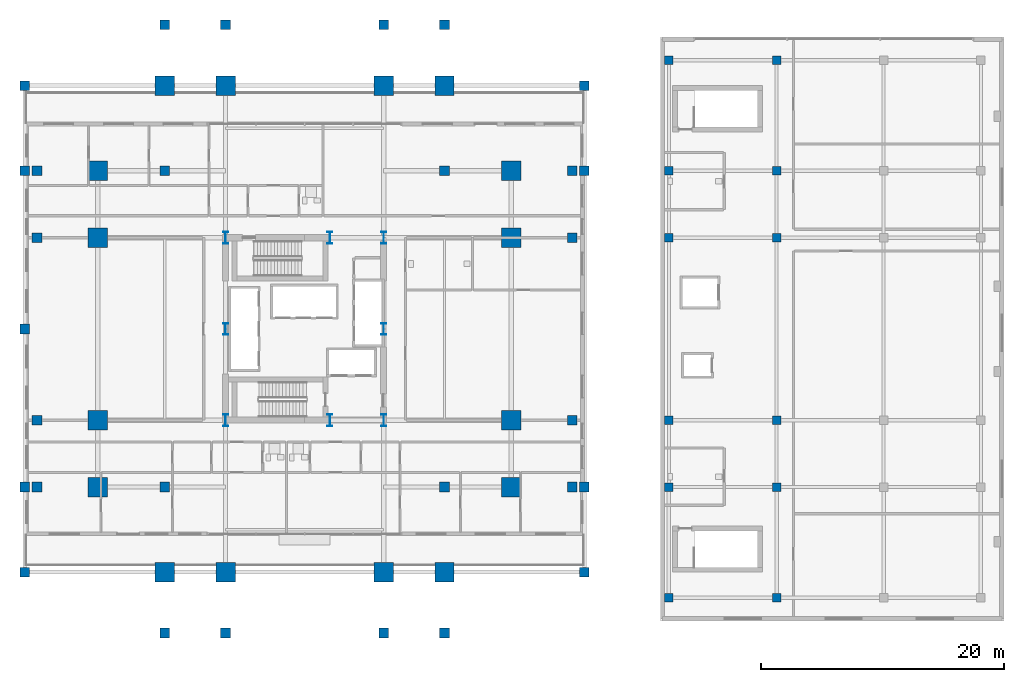
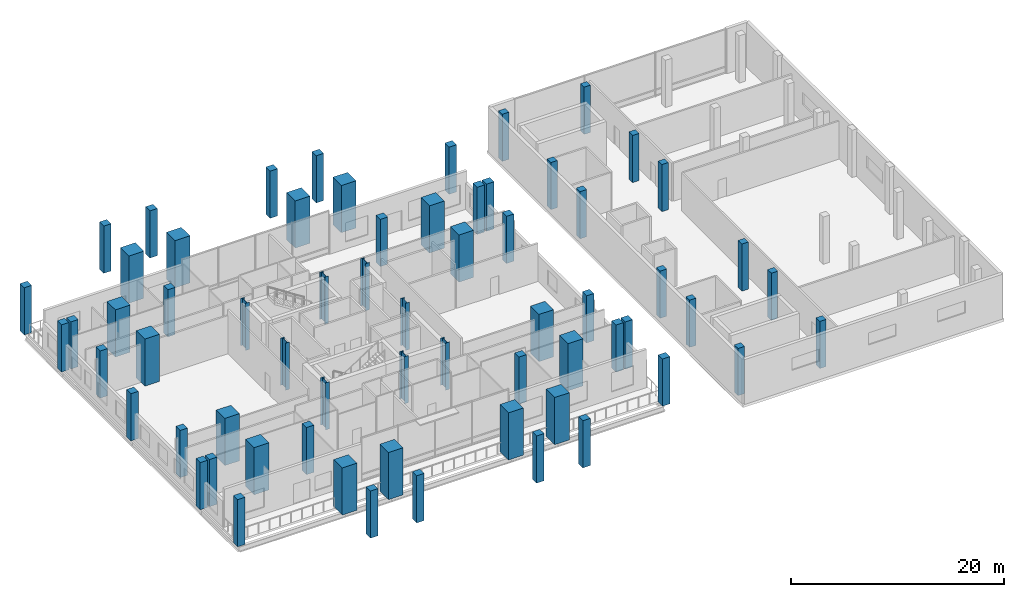
# One storey, part 1 of 25: 65 columns.
"""IFC4 building model written with IfcOpenShell, lengths in metres."""

import ifcopenshell
import ifcopenshell.guid

model = None  # the IFC model being written
_history = None  # IfcOwnerHistory: only IFC2X3 demands one
_inside = {}  # id of a spatial element -> (the spatial element, [elements in it])
_under = {}  # id of a project, library or spatial element -> (it, [spatial elements below it])
_declared = {}  # id of a project -> (the project, [libraries it declares])
_typed = {}  # id of a type object -> (the type object, [elements of that type])
_made_of = {}  # id of a material, layer set ... -> (it, [elements and type objects made of it])


def new_model(schema):
    """Start an empty IFC model of exactly this schema.

    Asked for "IFC4X3", IfcOpenShell would pick the latest addendum, in which some entities
    have other attributes; the version numbers below select the first issue.
    IFC2X3 requires an IfcOwnerHistory on every rooted entity: one is made here for all.
    """
    global model, _history
    if schema == "IFC4X3":
        model = ifcopenshell.file(schema_version=(4, 3, 0, 0))
    else:
        model = ifcopenshell.file(schema=schema)
    _inside.clear()
    _under.clear()
    _declared.clear()
    _typed.clear()
    _made_of.clear()
    _history = None
    if model.schema == "IFC2X3":
        org = make("IfcOrganization", Name="unknown")
        user = make(
            "IfcPersonAndOrganization",
            ThePerson=make("IfcPerson", FamilyName="unknown"),
            TheOrganization=org,
        )
        app = make(
            "IfcApplication",
            ApplicationDeveloper=org,
            Version="unknown",
            ApplicationFullName="unknown",
            ApplicationIdentifier="unknown",
        )
        _history = make(
            "IfcOwnerHistory",
            OwningUser=user,
            OwningApplication=app,
            ChangeAction="ADDED",
            CreationDate=0,
        )
    return model


def make(cls, **values):
    """One entity of the class cls with the attributes given. An attribute that is None is left unset."""
    return model.create_entity(
        cls, **{name: value for name, value in values.items() if value is not None}
    )


def rooted(cls, **values):
    """An entity with a GlobalId (a new one), such as an element, a storey or a relation."""
    return make(cls, GlobalId=ifcopenshell.guid.new(), OwnerHistory=_history, **values)


def si_unit(unit_type, name, prefix=None):
    """IfcSIUnit, for example si_unit("LENGTHUNIT", "METRE", prefix="MILLI")."""
    return make("IfcSIUnit", UnitType=unit_type, Prefix=prefix, Name=name)


def assignment(units):
    """IfcUnitAssignment: the units of a project."""
    return None if units is None else make("IfcUnitAssignment", Units=units)


def point(xyz):
    """IfcCartesianPoint."""
    return None if xyz is None else make("IfcCartesianPoint", Coordinates=xyz)


def direction(xyz):
    """IfcDirection."""
    return None if xyz is None else make("IfcDirection", DirectionRatios=xyz)


def frame(location, z_axis=None, x_axis=None):
    """IfcAxis2Placement3D, a coordinate frame: its origin and axes. An axis left out is left unset."""
    return make(
        "IfcAxis2Placement3D",
        Location=point(location),
        Axis=direction(z_axis),
        RefDirection=direction(x_axis),
    )


def frame_2d(location, x_axis=None):
    """IfcAxis2Placement2D, a coordinate frame in the plane: its origin and x axis."""
    return make(
        "IfcAxis2Placement2D", Location=point(location), RefDirection=direction(x_axis)
    )


def origin():
    """The frame at (0, 0, 0) with its axes left unset."""
    return frame((0.0, 0.0, 0.0))


def origin_2d():
    """The frame at (0, 0) in the plane with its x axis left unset."""
    return frame_2d((0.0, 0.0))


def place(relative_to, where):
    """IfcLocalPlacement: puts the frame where relative to a parent placement (None: the world)."""
    return make(
        "IfcLocalPlacement", PlacementRelTo=relative_to, RelativePlacement=where
    )


def context(
    kind, dimensions, precision=None, world=None, true_north=None, identifier=None
):
    """IfcGeometricRepresentationContext, for example the 3D "Model" context."""
    return make(
        "IfcGeometricRepresentationContext",
        ContextIdentifier=identifier,
        ContextType=kind,
        CoordinateSpaceDimension=dimensions,
        Precision=precision,
        WorldCoordinateSystem=world,
        TrueNorth=true_north,
    )


def subcontext(parent, identifier, kind, view, scale=None):
    """IfcGeometricRepresentationSubContext, for example "Body" below "Model"."""
    return make(
        "IfcGeometricRepresentationSubContext",
        ContextIdentifier=identifier,
        ContextType=kind,
        ParentContext=parent,
        TargetScale=scale,
        TargetView=view,
    )


def project(units=None, contexts=None):
    """IfcProject with its units and contexts."""
    return rooted(
        "IfcProject",
        Name="project",
        RepresentationContexts=contexts,
        UnitsInContext=assignment(units),
    )


def spatial(cls, under=None, at=None, **own):
    """A site, building, storey or space (cls), placed at a placement, below another one or the project."""
    s = rooted(cls, ObjectPlacement=at, **own)
    if under is not None:
        _under.setdefault(under.id(), (under, []))[1].append(s)
    return s


def profile(cls, at=None, kind="AREA", **sizes):
    """A parametric profile (cls). Its sizes go by their IFC names, for example OverallWidth=200.0."""
    return make(cls, ProfileType=kind, Position=at, **sizes)


def rectangle(**sizes):
    """IfcRectangleProfileDef."""
    return profile("IfcRectangleProfileDef", **sizes)


def i_section(**sizes):
    """IfcIShapeProfileDef."""
    return profile("IfcIShapeProfileDef", **sizes)


def extrude(swept, where, along, depth):
    """IfcExtrudedAreaSolid: the profile swept, set in the frame where, extruded along a direction by depth."""
    return make(
        "IfcExtrudedAreaSolid",
        SweptArea=swept,
        Position=where,
        ExtrudedDirection=direction(along),
        Depth=depth,
    )


def shape(context_of_items, identifier, shape_type, items):
    """IfcShapeRepresentation: the items that make up one representation, for example the "Body"."""
    return make(
        "IfcShapeRepresentation",
        ContextOfItems=context_of_items,
        RepresentationIdentifier=identifier,
        RepresentationType=shape_type,
        Items=items,
    )


def material(Name=None, Category=None):
    """IfcMaterial."""
    return make("IfcMaterial", Name=Name, Category=Category)


def material_profile(
    of_material, cross_section, Name=None, Category=None, Priority=None
):
    """IfcMaterialProfile: a cross section and its material."""
    return make(
        "IfcMaterialProfile",
        Name=Name,
        Material=of_material,
        Profile=cross_section,
        Priority=Priority,
        Category=Category,
    )


def profile_set(profiles, Name=None, composite=None):
    """IfcMaterialProfileSet."""
    return make(
        "IfcMaterialProfileSet",
        Name=Name,
        MaterialProfiles=profiles,
        CompositeProfile=composite,
    )


def made_of(thing, what):
    """Note that an element or type object is made of a material, layer set ...; save() writes the relation."""
    if what is not None:
        _made_of.setdefault(what.id(), (what, []))[1].append(thing)
    return thing


def type_object(cls, material=None, **own):
    """A type object (cls), such as IfcWallType, which elements share."""
    return made_of(rooted(cls, **own), material)


def element(
    cls,
    number,
    at=None,
    inside=None,
    cuts=None,
    type_object=None,
    material=None,
    context=None,
    identifier="Body",
    shape_type=None,
    held_by="IfcProductDefinitionShape",
    body=None,
    shapes=None,
    **own,
):
    """One element of the class cls, such as IfcWall. Its Tag is "e" and its number.

    at: its placement. inside: the storey or other place that contains it. cuts: it is an
    opening in that element (IfcRelVoidsElement). A single representation is given by context,
    identifier, shape_type and body (its items); several are given by shapes. held_by: the class
    of the entity that holds the representations. save() writes the other relations.
    """
    e = rooted(cls, Tag="e%d" % number, ObjectPlacement=at, **own)
    if body is not None:
        shapes = [shape(context, identifier, shape_type, body)]
    if shapes is not None:
        e.Representation = make(held_by, Representations=shapes)
    if inside is not None:
        _inside.setdefault(inside.id(), (inside, []))[1].append(e)
    if cuts is not None:
        rooted(
            "IfcRelVoidsElement", RelatingBuildingElement=cuts, RelatedOpeningElement=e
        )
    if type_object is not None:
        _typed.setdefault(type_object.id(), (type_object, []))[1].append(e)
    return made_of(e, material)


def aggregate(whole, parts):
    """IfcRelAggregates: a whole, such as a stair, and the parts it consists of."""
    return rooted("IfcRelAggregates", RelatingObject=whole, RelatedObjects=parts)


def save(model, path):
    """Write the relations noted so far, then the file.

    IfcRelAggregates (storeys below a building ...), IfcRelContainedInSpatialStructure (elements
    in a storey), IfcRelDefinesByType, IfcRelAssociatesMaterial and IfcRelDeclares: one each for
    every whole, place, type object, material and project.
    """
    for whole, parts in _under.values():
        aggregate(whole, parts)
    for where, things in _inside.values():
        rooted(
            "IfcRelContainedInSpatialStructure",
            RelatedElements=things,
            RelatingStructure=where,
        )
    for kind, things in _typed.values():
        rooted("IfcRelDefinesByType", RelatedObjects=things, RelatingType=kind)
    for what, things in _made_of.values():
        rooted("IfcRelAssociatesMaterial", RelatedObjects=things, RelatingMaterial=what)
    for by, libraries in _declared.values():
        rooted("IfcRelDeclares", RelatingContext=by, RelatedDefinitions=libraries)
    model.write(path)


model = new_model("IFC4")

# Units and contexts
model_context = context("Model", 3, precision=1e-05, world=origin(), true_north=direction((0.0, 1.0)))
body_context = subcontext(model_context, "Body", "Model", "MODEL_VIEW")
ifc_project = project(units=[si_unit("LENGTHUNIT", "METRE"), si_unit("AREAUNIT", "SQUARE_METRE"), si_unit("VOLUMEUNIT", "CUBIC_METRE"), si_unit("PLANEANGLEUNIT", "RADIAN"), si_unit("MASSUNIT", "GRAM", prefix="KILO")], contexts=[model_context])

# Site, building, storey
site_placement = place(None, origin())
site = spatial("IfcSite", under=ifc_project, at=site_placement, CompositionType="ELEMENT")
building_placement = place(site_placement, origin())
building = spatial("IfcBuilding", under=site, at=building_placement, Name="Barlavira Tower and Art Museum", CompositionType="ELEMENT")
storey_placement = place(building_placement, frame((0.0, 0.0, 22.199951171875)))
storey = spatial("IfcBuildingStorey", under=building, at=storey_placement, Name="L04", CompositionType="ELEMENT", Elevation=22.199951171875)

# Columns
ifc_material_1 = material(Name="Steel S355", Category="steel")
ifc_material_profile_1 = material_profile(ifc_material_1, i_section(OverallWidth=0.419921875, OverallDepth=0.9599609375, WebThickness=0.02197265625, FlangeThickness=0.033935546875, at=origin_2d()), Name="W920x387.0")
ifc_profile_set_1 = profile_set([ifc_material_profile_1], Name="Steel S355")
column_type_1 = type_object("IfcColumnType", Name="Core Composite Column W920x387 Steel S355", PredefinedType="COLUMN", material=ifc_profile_set_1)
for number, where, z_axis, x_axis, name in (
    (1, (-6.5, -7.5, 0.0), (0.0, 0.0, 1.0), (1.0, 0.0, 0.0), "L04 Column CC-L04-C1"),
    (2, (2.080078125, -7.5, 0.0), (0.0, 0.0, 1.0), (1.0, 0.0, 0.0), "L04 Column CC-L04-C2"),
    (3, (6.5, -7.5, 0.0), (0.0, 0.0, 1.0), (1.0, 0.0, 0.0), "L04 Column CC-L04-C3"),
    (4, (-6.5, 0.0, 0.0), (0.0, 0.0, 1.0), (1.0, 0.0, 0.0), "L04 Column CC-L04-C4"),
    (5, (6.5, 0.0, 0.0), (0.0, 0.0, 1.0), (1.0, 0.0, 0.0), "L04 Column CC-L04-C5"),
    (6, (-6.5, 7.5, 0.0), (0.0, 0.0, 1.0), (1.0, 0.0, 0.0), "L04 Column CC-L04-C6"),
    (7, (2.080078125, 7.5, 0.0), (0.0, 0.0, 1.0), (1.0, 0.0, 0.0), "L04 Column CC-L04-C7"),
    (8, (6.5, 7.5, 0.0), (0.0, 0.0, 1.0), (1.0, 0.0, 0.0), "L04 Column CC-L04-C8"),
):
    element("IfcColumn", number, at=place(storey_placement, frame(where, z_axis=z_axis, x_axis=x_axis)), inside=storey, type_object=column_type_1, Name=name, PredefinedType="COLUMN", context=body_context, shape_type="SweptSolid", body=[
        extrude(i_section(OverallWidth=0.419921875, OverallDepth=0.9599609375, WebThickness=0.02197265625, FlangeThickness=0.033935546875, at=origin_2d()), origin(), (0.0, 0.0, 1.0), 5.400146484375),
    ])
ifc_material_2 = material(Name="Concrete C50", Category="concrete")
ifc_material_profile_2 = material_profile(ifc_material_2, rectangle(XDim=0.699951171875, YDim=0.699951171875, at=origin_2d()), Name="RC-COL 700x700")
ifc_profile_set_2 = profile_set([ifc_material_profile_2], Name="Concrete C50")
column_type_2 = type_object("IfcColumnType", Name="Museum Frame Column 700x700 Concrete C50", PredefinedType="COLUMN", material=ifc_profile_set_2)
for number, where, z_axis, x_axis, name in (
    (9, (29.949951171875, -22.10009765625, 0.0), (0.0, 0.0, 1.0), (1.0, 0.0, 0.0), "L04 Museum Column 1-1"),
    (10, (29.949951171875, -13.0, 0.0), (0.0, 0.0, 1.0), (1.0, 0.0, 0.0), "L04 Museum Column 1-2"),
    (11, (29.949951171875, -7.5, 0.0), (0.0, 0.0, 1.0), (1.0, 0.0, 0.0), "L04 Museum Column 1-3"),
    (12, (29.949951171875, 7.5, 0.0), (0.0, 0.0, 1.0), (1.0, 0.0, 0.0), "L04 Museum Column 1-4"),
    (13, (29.949951171875, 13.0, 0.0), (0.0, 0.0, 1.0), (1.0, 0.0, 0.0), "L04 Museum Column 1-5"),
    (14, (29.949951171875, 22.10009765625, 0.0), (0.0, 0.0, 1.0), (1.0, 0.0, 0.0), "L04 Museum Column 1-6"),
    (15, (38.800048828125, -22.10009765625, 0.0), (0.0, 0.0, 1.0), (1.0, 0.0, 0.0), "L04 Museum Column 2-1"),
    (16, (38.800048828125, -13.0, 0.0), (0.0, 0.0, 1.0), (1.0, 0.0, 0.0), "L04 Museum Column 2-2"),
    (17, (38.800048828125, -7.5, 0.0), (0.0, 0.0, 1.0), (1.0, 0.0, 0.0), "L04 Museum Column 2-3"),
    (18, (38.800048828125, 7.5, 0.0), (0.0, 0.0, 1.0), (1.0, 0.0, 0.0), "L04 Museum Column 2-4"),
    (19, (38.800048828125, 13.0, 0.0), (0.0, 0.0, 1.0), (1.0, 0.0, 0.0), "L04 Museum Column 2-5"),
    (20, (38.800048828125, 22.10009765625, 0.0), (0.0, 0.0, 1.0), (1.0, 0.0, 0.0), "L04 Museum Column 2-6"),
):
    element("IfcColumn", number, at=place(storey_placement, frame(where, z_axis=z_axis, x_axis=x_axis)), inside=storey, type_object=column_type_2, Name=name, PredefinedType="COLUMN", context=body_context, shape_type="SweptSolid", body=[
        extrude(rectangle(XDim=0.699951171875, YDim=0.699951171875, at=origin_2d()), origin(), (0.0, 0.0, 1.0), 5.400146484375),
    ])
ifc_material_3 = material(Name="Concrete C60", Category="concrete")
ifc_material_profile_3 = material_profile(ifc_material_3, rectangle(XDim=1.60009765625, YDim=1.60009765625, at=origin_2d()), Name="RC-MCOL 1600x1600")
ifc_profile_set_3 = profile_set([ifc_material_profile_3], Name="Concrete C60")
column_type_3 = type_object("IfcColumnType", Name="Perimeter Mega Column 1600x1600 Concrete C60", PredefinedType="USERDEFINED", material=ifc_profile_set_3)
for number, where, z_axis, x_axis, name in (
    (21, (-11.5, -20.0, 0.0), (0.0, 0.0, 1.0), (1.0, 0.0, 0.0), "L04 Column MC-L04-M01"),
    (22, (-6.5, -20.0, 0.0), (0.0, 0.0, 1.0), (1.0, 0.0, 0.0), "L04 Column MC-L04-M02"),
    (23, (6.5, -20.0, 0.0), (0.0, 0.0, 1.0), (1.0, 0.0, 0.0), "L04 Column MC-L04-M03"),
    (24, (11.5, -20.0, 0.0), (0.0, 0.0, 1.0), (1.0, 0.0, 0.0), "L04 Column MC-L04-M04"),
    (25, (17.0, -13.0, 0.0), (0.0, 0.0, 1.0), (1.0, 0.0, 0.0), "L04 Column MC-L04-M05"),
    (26, (17.0, -7.5, 0.0), (0.0, 0.0, 1.0), (1.0, 0.0, 0.0), "L04 Column MC-L04-M06"),
    (27, (17.0, 7.5, 0.0), (0.0, 0.0, 1.0), (1.0, 0.0, 0.0), "L04 Column MC-L04-M07"),
    (28, (17.0, 13.0, 0.0), (0.0, 0.0, 1.0), (1.0, 0.0, 0.0), "L04 Column MC-L04-M08"),
    (29, (11.5, 20.0, 0.0), (0.0, 0.0, 1.0), (1.0, 0.0, 0.0), "L04 Column MC-L04-M09"),
    (30, (6.5, 20.0, 0.0), (0.0, 0.0, 1.0), (1.0, 0.0, 0.0), "L04 Column MC-L04-M10"),
    (31, (-6.5, 20.0, 0.0), (0.0, 0.0, 1.0), (1.0, 0.0, 0.0), "L04 Column MC-L04-M11"),
    (32, (-11.5, 20.0, 0.0), (0.0, 0.0, 1.0), (1.0, 0.0, 0.0), "L04 Column MC-L04-M12"),
    (33, (-17.0, 13.0, 0.0), (0.0, 0.0, 1.0), (1.0, 0.0, 0.0), "L04 Column MC-L04-M13"),
    (34, (-17.0, 7.5, 0.0), (0.0, 0.0, 1.0), (1.0, 0.0, 0.0), "L04 Column MC-L04-M14"),
    (35, (-17.0, -7.5, 0.0), (0.0, 0.0, 1.0), (1.0, 0.0, 0.0), "L04 Column MC-L04-M15"),
    (36, (-17.0, -13.0, 0.0), (0.0, 0.0, 1.0), (1.0, 0.0, 0.0), "L04 Column MC-L04-M16"),
):
    element("IfcColumn", number, at=place(storey_placement, frame(where, z_axis=z_axis, x_axis=x_axis)), inside=storey, type_object=column_type_3, Name=name, ObjectType="MEGA COLUMN", PredefinedType="USERDEFINED", context=body_context, shape_type="SweptSolid", body=[
        extrude(rectangle(XDim=1.60009765625, YDim=1.60009765625, at=origin_2d()), origin(), (0.0, 0.0, 1.0), 5.400146484375),
    ])
ifc_material_profile_4 = material_profile(ifc_material_2, rectangle(XDim=0.800048828125, YDim=0.800048828125, at=origin_2d()), Name="RC-COL 800x800")
ifc_profile_set_4 = profile_set([ifc_material_profile_4], Name="Concrete C50")
column_type_4 = type_object("IfcColumnType", Name="Podium Frame Column 800x800 Concrete C50", PredefinedType="COLUMN", material=ifc_profile_set_4)
for number, where, z_axis, x_axis, name in (
    (37, (-23.0, -20.0, 0.0), (0.0, 0.0, 1.0), (1.0, 0.0, 0.0), "L04 Column CP-L04-P1"),
    (38, (-23.0, -13.0, 0.0), (0.0, 0.0, 1.0), (1.0, 0.0, 0.0), "L04 Column CP-L04-P2"),
    (39, (-23.0, 0.0, 0.0), (0.0, 0.0, 1.0), (1.0, 0.0, 0.0), "L04 Column CP-L04-P3"),
    (40, (-23.0, 13.0, 0.0), (0.0, 0.0, 1.0), (1.0, 0.0, 0.0), "L04 Column CP-L04-P4"),
    (41, (-23.0, 20.0, 0.0), (0.0, 0.0, 1.0), (1.0, 0.0, 0.0), "L04 Column CP-L04-P5"),
    (42, (23.0, -20.0, 0.0), (0.0, 0.0, 1.0), (1.0, 0.0, 0.0), "L04 Column CP-L04-P6"),
    (43, (23.0, -13.0, 0.0), (0.0, 0.0, 1.0), (1.0, 0.0, 0.0), "L04 Column CP-L04-P7"),
    (44, (23.0, 13.0, 0.0), (0.0, 0.0, 1.0), (1.0, 0.0, 0.0), "L04 Column CP-L04-P8"),
    (45, (23.0, 20.0, 0.0), (0.0, 0.0, 1.0), (1.0, 0.0, 0.0), "L04 Column CP-L04-P9"),
    (46, (-11.5, -13.0, 0.0), (0.0, 0.0, 1.0), (1.0, 0.0, 0.0), "L04 Column CI-L04-I1"),
    (47, (11.5, -13.0, 0.0), (0.0, 0.0, 1.0), (1.0, 0.0, 0.0), "L04 Column CI-L04-I2"),
    (48, (-11.5, 13.0, 0.0), (0.0, 0.0, 1.0), (1.0, 0.0, 0.0), "L04 Column CI-L04-I3"),
    (49, (11.5, 13.0, 0.0), (0.0, 0.0, 1.0), (1.0, 0.0, 0.0), "L04 Column CI-L04-I4"),
    (50, (-11.5, -25.0, 0.0), (0.0, 0.0, 1.0), (1.0, 0.0, 0.0), "L04 Column CZ1-L04-N01"),
    (51, (-6.5, -25.0, 0.0), (0.0, 0.0, 1.0), (1.0, 0.0, 0.0), "L04 Column CZ1-L04-N02"),
    (52, (6.5, -25.0, 0.0), (0.0, 0.0, 1.0), (1.0, 0.0, 0.0), "L04 Column CZ1-L04-N02B"),
    (53, (11.5, -25.0, 0.0), (0.0, 0.0, 1.0), (1.0, 0.0, 0.0), "L04 Column CZ1-L04-N03"),
    (54, (-22.0, -13.0, 0.0), (0.0, 0.0, 1.0), (1.0, 0.0, 0.0), "L04 Column CZ1-L04-N04"),
    (55, (-22.0, -7.5, 0.0), (0.0, 0.0, 1.0), (1.0, 0.0, 0.0), "L04 Column CZ1-L04-N05"),
    (56, (-22.0, 7.5, 0.0), (0.0, 0.0, 1.0), (1.0, 0.0, 0.0), "L04 Column CZ1-L04-N05B"),
    (57, (-22.0, 13.0, 0.0), (0.0, 0.0, 1.0), (1.0, 0.0, 0.0), "L04 Column CZ1-L04-N06"),
    (58, (-11.5, 25.0, 0.0), (0.0, 0.0, 1.0), (1.0, 0.0, 0.0), "L04 Column CZ1-L04-N07"),
    (59, (-6.5, 25.0, 0.0), (0.0, 0.0, 1.0), (1.0, 0.0, 0.0), "L04 Column CZ1-L04-N08"),
    (60, (6.5, 25.0, 0.0), (0.0, 0.0, 1.0), (1.0, 0.0, 0.0), "L04 Column CZ1-L04-N08B"),
    (61, (11.5, 25.0, 0.0), (0.0, 0.0, 1.0), (1.0, 0.0, 0.0), "L04 Column CZ1-L04-N09"),
    (62, (22.0, -13.0, 0.0), (0.0, 0.0, 1.0), (1.0, 0.0, 0.0), "L04 Column CZ1-L04-N10"),
    (63, (22.0, -7.5, 0.0), (0.0, 0.0, 1.0), (1.0, 0.0, 0.0), "L04 Column CZ1-L04-N11"),
    (64, (22.0, 7.5, 0.0), (0.0, 0.0, 1.0), (1.0, 0.0, 0.0), "L04 Column CZ1-L04-N11B"),
    (65, (22.0, 13.0, 0.0), (0.0, 0.0, 1.0), (1.0, 0.0, 0.0), "L04 Column CZ1-L04-N12"),
):
    element("IfcColumn", number, at=place(storey_placement, frame(where, z_axis=z_axis, x_axis=x_axis)), inside=storey, type_object=column_type_4, Name=name, PredefinedType="COLUMN", context=body_context, shape_type="SweptSolid", body=[
        extrude(rectangle(XDim=0.800048828125, YDim=0.800048828125, at=origin_2d()), origin(), (0.0, 0.0, 1.0), 5.400146484375),
    ])

save(model, "model.ifc")
